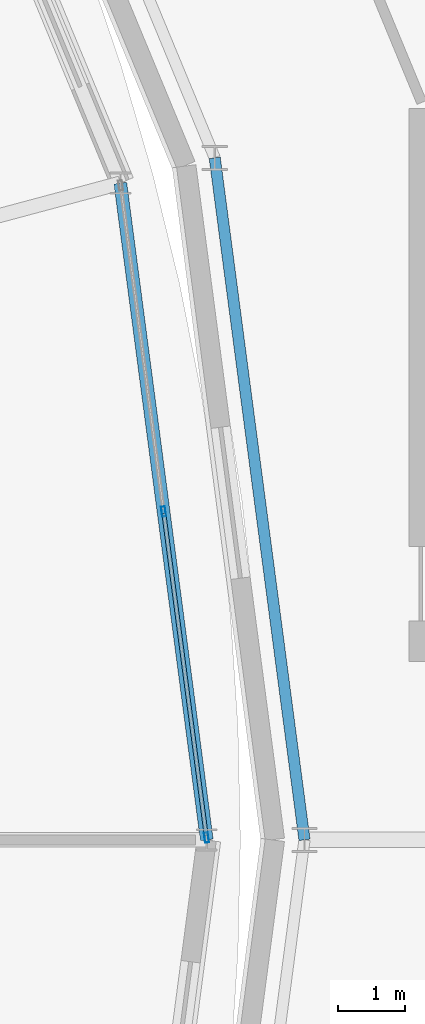
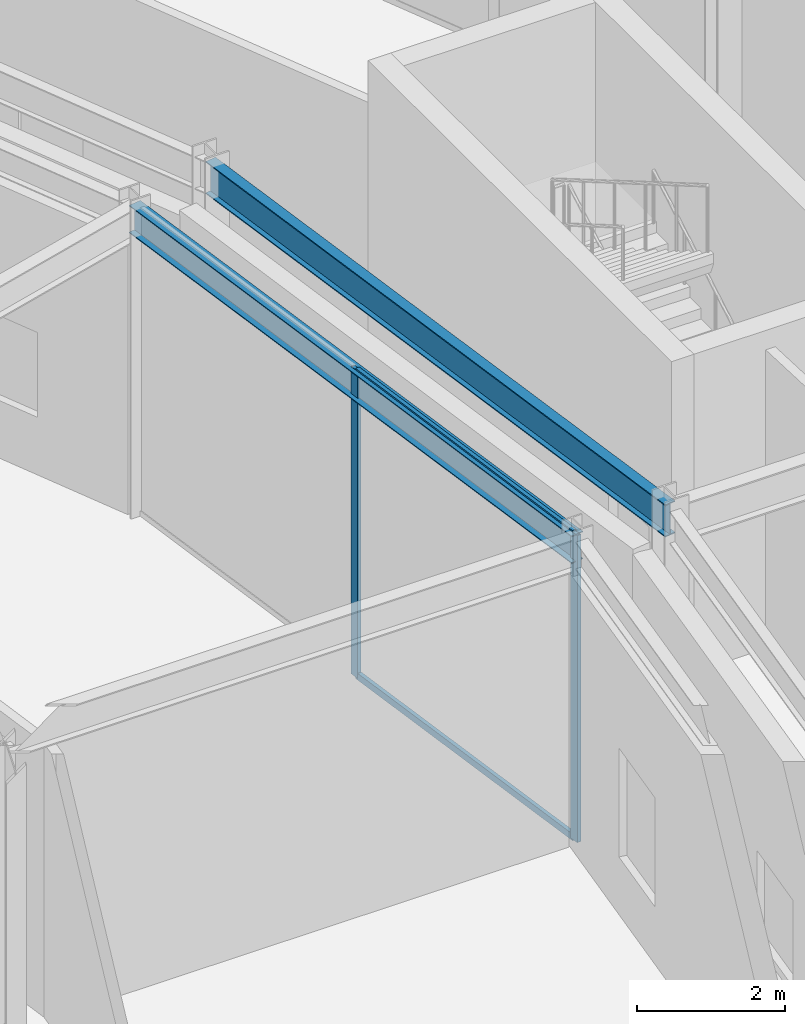
# One storey, part 55 of 168: 4 members, 2 beams, 1 element without a shape of its own.
"""IFC4 building model written with IfcOpenShell, lengths in metres."""

from ifc_helpers import new_model, si_unit, direction, frame, origin, origin_2d, place, context, subcontext, project, spatial, hollow_rectangle, i_section, extrude, material, material_profile, profile_set, type_object, element, aggregate, save


model = new_model("IFC4")

# Units and contexts
model_context = context("Model", 3, precision=1e-05, world=origin(), true_north=direction((0.0, 1.0)))
body_context = subcontext(model_context, "Body", "Model", "MODEL_VIEW")
ifc_project = project(units=[si_unit("LENGTHUNIT", "METRE"), si_unit("AREAUNIT", "SQUARE_METRE"), si_unit("VOLUMEUNIT", "CUBIC_METRE"), si_unit("PLANEANGLEUNIT", "RADIAN"), si_unit("MASSUNIT", "GRAM", prefix="KILO")], contexts=[model_context])

# Site, building, storey
site_placement = place(None, origin())
site = spatial("IfcSite", under=ifc_project, at=site_placement, CompositionType="ELEMENT")
building_placement = place(site_placement, origin())
building = spatial("IfcBuilding", under=site, at=building_placement, Name="Almandine Court Research Institute", CompositionType="ELEMENT")
storey_placement = place(building_placement, origin())
storey = spatial("IfcBuildingStorey", under=building, at=storey_placement, Name="L00", CompositionType="ELEMENT", Elevation=0.0)

# Beams
ifc_material_1 = material(Name="Steel ASTM A992 Grade 50", Category="steel")
ifc_material_profile_1 = material_profile(ifc_material_1, i_section(OverallWidth=0.18994140625, OverallDepth=0.45703125, WebThickness=0.009033203125, FlangeThickness=0.014892578125, at=origin_2d()), Name="W460x74")
ifc_profile_set_1 = profile_set([ifc_material_profile_1], Name="Steel ASTM A992 Grade 50")
beam_type_1 = type_object("IfcBeamType", Name="Beam-B-01", PredefinedType="BEAM", material=ifc_profile_set_1)
beam_1_placement = place(storey_placement, frame((124.64990234375, 56.0, 4.841064453125), z_axis=(-0.130525188913, 0.991444993461, 0.0), x_axis=(-0.991444993461, -0.130525188913, 0.0)))
element("IfcBeam", 1, at=beam_1_placement, inside=storey, type_object=beam_type_1, Name="L00 Atrium Outer Ring Beam", PredefinedType="BEAM", context=body_context, shape_type="SweptSolid", body=[
    extrude(i_section(OverallWidth=0.18994140625, OverallDepth=0.45703125, WebThickness=0.009033203125, FlangeThickness=0.014892578125, at=origin_2d()), origin(), (0.0, 0.0, 1.0), 9.8291015625),
])
ifc_material_profile_2 = material_profile(ifc_material_1, i_section(OverallWidth=0.166015625, OverallDepth=0.534912109375, WebThickness=0.010009765625, FlangeThickness=0.01708984375, at=origin_2d()), Name="W530x85")
ifc_profile_set_2 = profile_set([ifc_material_profile_2], Name="Steel ASTM A992 Grade 50")
beam_type_2 = type_object("IfcBeamType", Name="Beam-G-05-E", PredefinedType="SPANDREL", material=ifc_profile_set_2)
beam_2_placement = place(storey_placement, frame((126.10009765625, 56.0, 4.802978515625), z_axis=(-0.130496584681, 0.991448758831, 0.0), x_axis=(-0.991448758831, -0.130496584681, 0.0)))
element("IfcBeam", 2, at=beam_2_placement, inside=storey, type_object=beam_type_2, Name="L00 Drum IN Ring Beam 00", PredefinedType="SPANDREL", context=body_context, shape_type="SweptSolid", body=[
    extrude(i_section(OverallWidth=0.166015625, OverallDepth=0.534912109375, WebThickness=0.010009765625, FlangeThickness=0.01708984375, at=origin_2d()), origin(), (0.0, 0.0, 1.0), 10.20751953125),
])

# Curtain wall, members
ifc_material_2 = material(Name="Unitised Curtain Wall Framing and Solar Glazing", Category="glass")
curtain_wall_type = type_object("IfcCurtainWallType", Name="CW-CWG-23", PredefinedType="USERDEFINED", material=ifc_material_2)
curtain_wall_placement = place(storey_placement, origin())
curtain_wall = element("IfcCurtainWall", 3, at=curtain_wall_placement, inside=storey, type_object=curtain_wall_type, Name="L00 Interaction Atrium Perimeter Curtain Wall 00", ObjectType="UNITISED GLAZING", PredefinedType="USERDEFINED")
ifc_material_3 = material(Name="Anodised Aluminium AW-6063-T6", Category="aluminium")
ifc_material_profile_3 = material_profile(ifc_material_3, hollow_rectangle(XDim=0.06005859375, YDim=0.14990234375, WallThickness=0.00390625, at=origin_2d()), Name="ALU RHS 60x150x4")
ifc_profile_set_3 = profile_set([ifc_material_profile_3], Name="Anodised Aluminium AW-6063-T6")
member_type_1 = type_object("IfcMemberType", Name="CWMul-60x150", PredefinedType="MULLION", material=ifc_profile_set_3)
member_1_placement = place(storey_placement, frame((124.009033203125, 60.87255859375, 0.0), z_axis=(0.0, 0.0, 1.0), x_axis=(0.991443548509, 0.130536164028, 0.0)))
member_1 = element("IfcMember", 4, at=member_1_placement, type_object=member_type_1, Name="CWG-23 mullion 2", PredefinedType="MULLION", context=body_context, shape_type="SweptSolid", body=[
    extrude(hollow_rectangle(XDim=0.06005859375, YDim=0.14990234375, WallThickness=0.00390625, at=origin_2d()), origin(), (0.0, 0.0, 1.0), 5.070068359375),
])
member_2_placement = place(storey_placement, frame((124.64599609375, 56.03369140625, 0.0), z_axis=(0.0, 0.0, 1.0), x_axis=(0.991443548509, 0.130536164028, 0.0)))
member_2 = element("IfcMember", 5, at=member_2_placement, type_object=member_type_1, Name="CWG-23 mullion 3", PredefinedType="MULLION", context=body_context, shape_type="SweptSolid", body=[
    extrude(hollow_rectangle(XDim=0.06005859375, YDim=0.14990234375, WallThickness=0.00390625, at=origin_2d()), origin(), (0.0, 0.0, 1.0), 5.070068359375),
])
ifc_material_profile_4 = material_profile(ifc_material_3, hollow_rectangle(XDim=0.06005859375, YDim=0.110107421875, WallThickness=0.00390625, at=origin_2d()), Name="ALU RHS 60x110x4")
ifc_profile_set_4 = profile_set([ifc_material_profile_4], Name="Anodised Aluminium AW-6063-T6")
member_type_2 = type_object("IfcMemberType", Name="CWTrn-60x110", PredefinedType="NOTDEFINED", material=ifc_profile_set_4)
member_3_placement = place(storey_placement, frame((124.012939453125, 60.8427734375, 0.030029296875), z_axis=(0.130514777294, -0.99144636411, 0.0), x_axis=(0.99144636411, 0.130514777294, 0.0)))
member_3 = element("IfcMember", 6, at=member_3_placement, type_object=member_type_2, Name="CWG-23 transom 2.1", ObjectType="TRANSOM", PredefinedType="USERDEFINED", context=body_context, shape_type="SweptSolid", body=[
    extrude(hollow_rectangle(XDim=0.06005859375, YDim=0.110107421875, WallThickness=0.00390625, at=origin_2d()), origin(), (0.0, 0.0, 1.0), 4.820556640625),
])
member_4_placement = place(storey_placement, frame((124.012939453125, 60.8427734375, 5.0400390625), z_axis=(0.130514777294, -0.99144636411, 0.0), x_axis=(0.99144636411, 0.130514777294, 0.0)))
member_4 = element("IfcMember", 7, at=member_4_placement, type_object=member_type_2, Name="CWG-23 transom 2.2", ObjectType="TRANSOM", PredefinedType="USERDEFINED", context=body_context, shape_type="SweptSolid", body=[
    extrude(hollow_rectangle(XDim=0.06005859375, YDim=0.110107421875, WallThickness=0.00390625, at=origin_2d()), origin(), (0.0, 0.0, 1.0), 4.820556640625),
])
aggregate(curtain_wall, [member_1, member_2, member_3, member_4])

save(model, "model.ifc")
